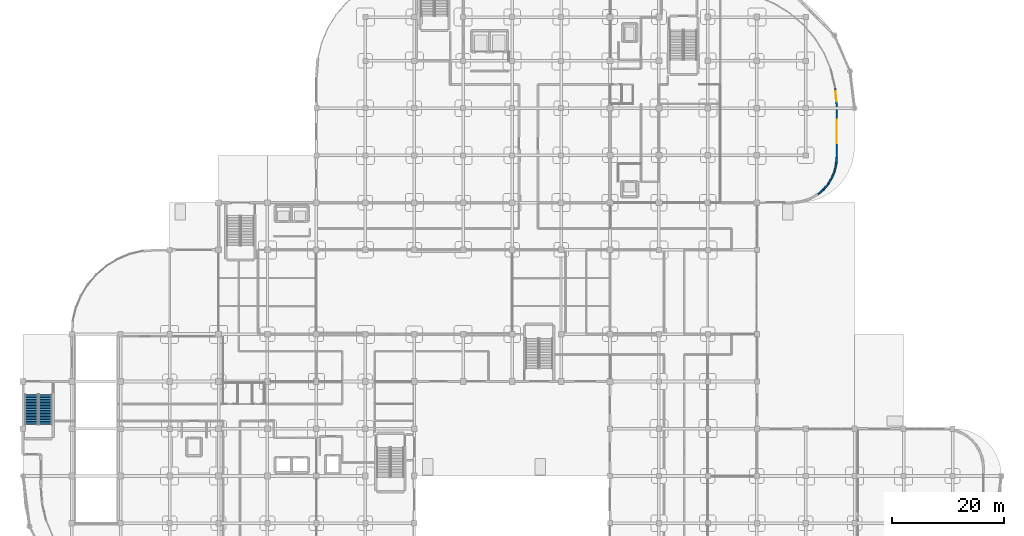
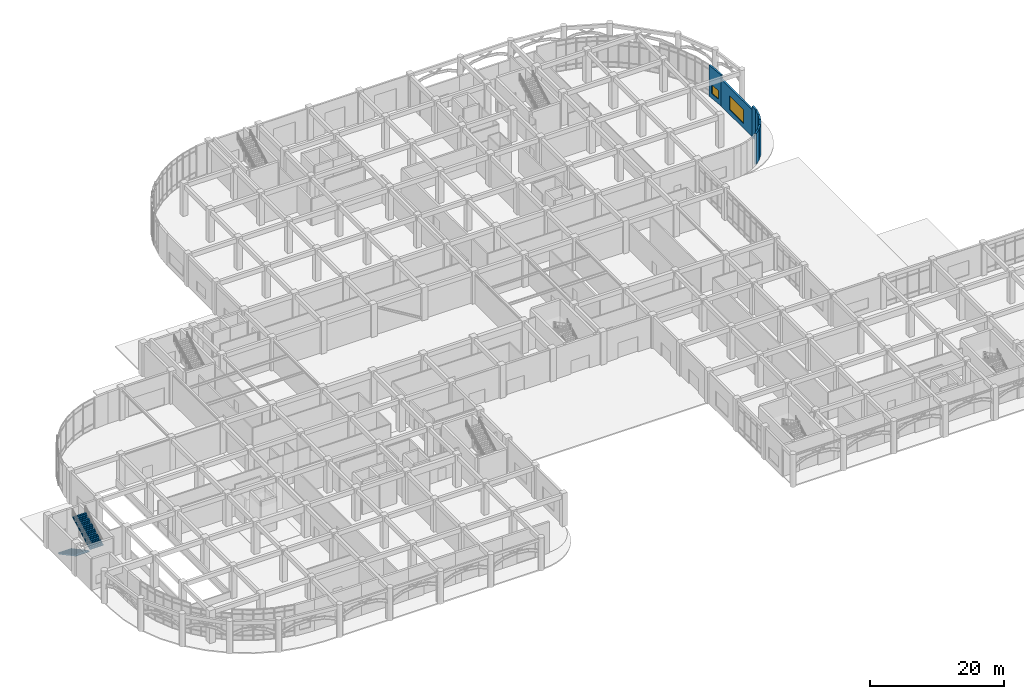
# One storey, part 71 of 82: 8 walls, 2 stair flights, 2 windows, 2 openings, 1 element without a shape of its own.
"""IFC4 building model written with IfcOpenShell, lengths in metres."""

from ifc_helpers import new_model, si_unit, derived_unit, direction, frame, frame_2d, origin, place, context, subcontext, project, spatial, polyline, rectangle, outline, extrude, material, layer, layer_set, type_object, element, fill, aggregate, save


model = new_model("IFC4")

# Units and contexts
model_context = context("Model", 3, precision=1e-05, world=origin(), true_north=direction((0.0, 1.0)))
body_context = subcontext(model_context, "Body", "Model", "MODEL_VIEW")
ifc_project = project(units=[si_unit("LENGTHUNIT", "METRE"), si_unit("AREAUNIT", "SQUARE_METRE"), si_unit("VOLUMEUNIT", "CUBIC_METRE"), si_unit("PLANEANGLEUNIT", "RADIAN"), si_unit("MASSUNIT", "GRAM", prefix="KILO"), derived_unit("THERMALTRANSMITTANCEUNIT", [(si_unit("MASSUNIT", "GRAM", prefix="KILO"), 1), (si_unit("TIMEUNIT", "SECOND"), -3), (si_unit("THERMODYNAMICTEMPERATUREUNIT", "KELVIN"), -1)])], contexts=[model_context])

# Site, building, storey
site_placement = place(None, origin())
site = spatial("IfcSite", under=ifc_project, at=site_placement, CompositionType="ELEMENT")
building_placement = place(site_placement, origin())
building = spatial("IfcBuilding", under=site, at=building_placement, Name="Qinzheling Arcade Emporium", CompositionType="ELEMENT")
storey_placement = place(building_placement, origin())
storey = spatial("IfcBuildingStorey", under=building, at=storey_placement, Name="L01", CompositionType="ELEMENT", Elevation=0.0)

# Wall, opening, window
ifc_material_1 = material(Name="Buff glazed terracotta insulated wall", Category="masonry")
ifc_layer = layer(ifc_material_1, 0.2900390625, Name="Buff glazed terracotta insulated wall", Category="masonry")
ifc_layer_set = layer_set([ifc_layer], Name="Buff glazed terracotta insulated wall")
wall_type = type_object("IfcWallType", Name="Office Bar Terracotta Wall 290", PredefinedType="STANDARD", material=ifc_layer_set)
wall_1_placement = place(storey_placement, frame((144.449951171875, 94.27587890625, 0.0), z_axis=(0.0, 0.0, 1.0), x_axis=(0.078478000157, -0.996915845742, 0.0)))
wall_1 = element("IfcWall", 1, at=wall_1_placement, inside=storey, type_object=wall_type, Name="Exterior Wall WL-L01-EW-0064", PredefinedType="STANDARD", context=body_context, shape_type="SweptSolid", body=[
    extrude(rectangle(XDim=3.185546875, YDim=0.2900390625, at=frame_2d((1.5927734375, 0.0))), origin(), (0.0, 0.0, 1.0), 5.659912109375),
])
opening_1_placement = place(wall_1_placement, frame((0.693115234375, 0.0, 0.85009765625)))
opening_1 = element("IfcOpeningElement", 2, at=opening_1_placement, cuts=wall_1, Name="Opening WN62", PredefinedType="OPENING", context=body_context, shape_type="SweptSolid", body=[
    extrude(rectangle(XDim=1.800048828125, YDim=1.60009765625, at=frame_2d((0.89990234375, 0.800048828125))), frame((0.0, 0.155029296875, 0.0), z_axis=(0.0, -1.0, 0.0), x_axis=(1.0, 0.0, 0.0)), (0.0, 0.0, 1.0), 0.31005859375),
])
ifc_material_2 = material(Name="Thermally broken aluminium frame with solar-control double glazing", Category="aluminium")
window_type_1 = type_object("IfcWindowType", Name="Chicago Tripartite Window 1800x1600", PartitioningType="TRIPLE_PANEL_VERTICAL", PredefinedType="WINDOW", material=ifc_material_2)
window_1_placement = place(opening_1_placement, origin())
window_1 = element("IfcWindow", 3, at=window_1_placement, inside=storey, type_object=window_type_1, Name="WN62 Window WN-L01-0012", OverallHeight=1.60009765625, OverallWidth=1.800048828125, PartitioningType="TRIPLE_PANEL_VERTICAL", PredefinedType="WINDOW", context=body_context, shape_type="SweptSolid", body=[
    extrude(rectangle(XDim=1.800048828125, YDim=1.60009765625, at=frame_2d((0.89990234375, 0.800048828125))), frame((0.0, 0.030029296875, 0.0), z_axis=(0.0, -1.0, 0.0), x_axis=(1.0, 0.0, 0.0)), (0.0, 0.0, 1.0), 0.06005859375),
])
fill(opening_1, window_1)

wall_2_placement = place(storey_placement, frame((144.699951171875, 91.10009765625, 0.0), z_axis=(0.0, 0.0, 1.0), x_axis=(0.0, -1.0, 0.0)))
wall_2 = element("IfcWall", 4, at=wall_2_placement, inside=storey, type_object=wall_type, Name="Exterior Wall WL-L01-EW-0065", PredefinedType="STANDARD", context=body_context, shape_type="SweptSolid", body=[
    extrude(rectangle(XDim=9.300048828125, YDim=0.2900390625, at=frame_2d((4.64990234375, 0.0))), origin(), (0.0, 0.0, 1.0), 4.919921875),
])
opening_2_placement = place(wall_2_placement, frame((2.550048828125, 0.0, 0.85009765625)))
opening_2 = element("IfcOpeningElement", 5, at=opening_2_placement, cuts=wall_2, Name="Opening WN10", PredefinedType="OPENING", context=body_context, shape_type="SweptSolid", body=[
    extrude(rectangle(XDim=4.199951171875, YDim=2.60009765625, at=frame_2d((2.10009765625, 1.300048828125))), frame((0.0, 0.155029296875, 0.0), z_axis=(0.0, -1.0, 0.0), x_axis=(1.0, 0.0, 0.0)), (0.0, 0.0, 1.0), 0.31005859375),
])
window_type_2 = type_object("IfcWindowType", Name="Chicago Tripartite Window 4200x2600", PartitioningType="TRIPLE_PANEL_VERTICAL", PredefinedType="WINDOW", material=ifc_material_2)
window_2_placement = place(opening_2_placement, origin())
window_2 = element("IfcWindow", 6, at=window_2_placement, inside=storey, type_object=window_type_2, Name="WN10 Window WN-L01-0013", OverallHeight=2.60009765625, OverallWidth=4.199951171875, PartitioningType="TRIPLE_PANEL_VERTICAL", PredefinedType="WINDOW", context=body_context, shape_type="SweptSolid", body=[
    extrude(rectangle(XDim=4.199951171875, YDim=2.60009765625, at=frame_2d((2.10009765625, 1.300048828125))), frame((0.0, 0.030029296875, 0.0), z_axis=(0.0, -1.0, 0.0), x_axis=(1.0, 0.0, 0.0)), (0.0, 0.0, 1.0), 0.06005859375),
])
fill(opening_2, window_2)

# Walls
wall_3_placement = place(storey_placement, frame((144.699951171875, 81.800048828125, 0.0), z_axis=(0.0, 0.0, 1.0), x_axis=(-0.078020618655, -0.996951745605, 0.0)))
element("IfcWall", 7, at=wall_3_placement, inside=storey, type_object=wall_type, Name="Exterior Wall WL-L01-EW-0066", PredefinedType="STANDARD", context=body_context, shape_type="SweptSolid", body=[
    extrude(rectangle(XDim=1.2548828125, YDim=0.2900390625, at=frame_2d((0.62744140625, 0.0))), origin(), (0.0, 0.0, 1.0), 5.659912109375),
])
wall_4_placement = place(storey_placement, frame((144.60205078125, 80.549072265625, 0.0), z_axis=(0.0, 0.0, 1.0), x_axis=(-0.234019816048, -0.972231827136, 0.0)))
element("IfcWall", 8, at=wall_4_placement, inside=storey, type_object=wall_type, Name="Exterior Wall WL-L01-EW-0067", PredefinedType="STANDARD", context=body_context, shape_type="SweptSolid", body=[
    extrude(rectangle(XDim=1.256103515625, YDim=0.2900390625, at=frame_2d((0.6279296875, 0.0))), origin(), (0.0, 0.0, 1.0), 5.659912109375),
])
wall_5_placement = place(storey_placement, frame((144.30810546875, 79.327880859375, 0.0), z_axis=(0.0, 0.0, 1.0), x_axis=(-0.382529279716, -0.923943369563, 0.0)))
element("IfcWall", 9, at=wall_5_placement, inside=storey, type_object=wall_type, Name="Exterior Wall WL-L01-EW-0068", PredefinedType="STANDARD", context=body_context, shape_type="SweptSolid", body=[
    extrude(rectangle(XDim=1.25537109375, YDim=0.2900390625, at=frame_2d((0.627685546875, 0.0))), origin(), (0.0, 0.0, 1.0), 5.659912109375),
])
wall_6_placement = place(storey_placement, frame((143.827880859375, 78.16796875, 0.0), z_axis=(0.0, 0.0, 1.0), x_axis=(-0.522511879055, -0.852632005174, 0.0)))
element("IfcWall", 10, at=wall_6_placement, inside=storey, type_object=wall_type, Name="Exterior Wall WL-L01-EW-0069", PredefinedType="STANDARD", context=body_context, shape_type="SweptSolid", body=[
    extrude(rectangle(XDim=1.255126953125, YDim=0.2900390625, at=frame_2d((0.62744140625, 0.0))), origin(), (0.0, 0.0, 1.0), 5.659912109375),
])
for number, where, z_axis, x_axis, name in (
    (11, (143.172119140625, 77.097900390625, 0.0), (0.0, 0.0, 1.0), (-0.649300789232, -0.760531712095, 0.0), "Exterior Wall WL-L01-EW-0070"),
    (12, (142.35693359375, 76.14306640625, 0.0), (0.0, 0.0, 1.0), (-0.760531712095, -0.649300789232, 0.0), "Exterior Wall WL-L01-EW-0071"),
):
    element("IfcWall", number, at=place(storey_placement, frame(where, z_axis=z_axis, x_axis=x_axis)), inside=storey, type_object=wall_type, Name=name, PredefinedType="STANDARD", context=body_context, shape_type="SweptSolid", body=[
        extrude(rectangle(XDim=1.25537109375, YDim=0.2900390625, at=frame_2d((0.627685546875, 0.0))), origin(), (0.0, 0.0, 1.0), 5.659912109375),
    ])

# Stair, stair flights
ifc_material_3 = material(Name="Concrete C40", Category="concrete")
stair_type = type_object("IfcStairType", Name="Cast-in-Situ Dog-Leg Escape Stair H6000", PredefinedType="HALF_TURN_STAIR", material=ifc_material_3)
stair_placement = place(storey_placement, origin())
stair = element("IfcStair", 13, at=stair_placement, inside=storey, type_object=stair_type, Name="L01 ST02", PredefinedType="HALF_TURN_STAIR")
stair_flight_type = type_object("IfcStairFlightType", Name="Cast-in-Situ Straight Stair Flight 150x280 H6000", PredefinedType="STRAIGHT", material=ifc_material_3)
stair_flight_1_placement = place(storey_placement, frame((1.56005859375, 39.679931640625, 0.0), z_axis=(0.0, 0.0, 1.0), x_axis=(0.0, -1.0, 0.0)))
stair_flight_1 = element("IfcStairFlight", 14, at=stair_flight_1_placement, type_object=stair_flight_type, Name="ST02 flight 1", NumberOfRisers=20, NumberOfTreads=19, PredefinedType="STRAIGHT", RiserHeight=0.15, TreadLength=0.28, context=body_context, shape_type="SweptSolid", body=[
    extrude(outline(polyline([(0.0, 0.0), (0.0, 0.14990234375), (0.280029296875, 0.14990234375), (0.280029296875, 0.300048828125), (0.56005859375, 0.300048828125), (0.56005859375, 0.449951171875), (0.840087890625, 0.449951171875), (0.840087890625, 0.60009765625), (1.1201171875, 0.60009765625), (1.1201171875, 0.75), (1.39990234375, 0.75), (1.39990234375, 0.89990234375), (1.679931640625, 0.89990234375), (1.679931640625, 1.050048828125), (1.9599609375, 1.050048828125), (1.9599609375, 1.199951171875), (2.239990234375, 1.199951171875), (2.239990234375, 1.35009765625), (2.52001953125, 1.35009765625), (2.52001953125, 1.5), (2.800048828125, 1.5), (2.800048828125, 1.64990234375), (3.080078125, 1.64990234375), (3.080078125, 1.800048828125), (3.360107421875, 1.800048828125), (3.360107421875, 1.949951171875), (3.639892578125, 1.949951171875), (3.639892578125, 2.10009765625), (3.919921875, 2.10009765625), (3.919921875, 2.25), (4.199951171875, 2.25), (4.199951171875, 2.39990234375), (4.47998046875, 2.39990234375), (4.47998046875, 2.550048828125), (4.760009765625, 2.550048828125), (4.760009765625, 2.699951171875), (5.0400390625, 2.699951171875), (5.0400390625, 2.85009765625), (5.320068359375, 2.85009765625), (5.320068359375, 3.0), (5.320068359375, 2.668701171875), (0.338623046875, 0.0), (0.0, 0.0)])), frame((0.0, 1.16015625, 0.0), z_axis=(0.0, -1.0, 0.0), x_axis=(1.0, 0.0, 0.0)), (0.0, 0.0, 1.0), 2.320068359375),
])
stair_flight_2_placement = place(storey_placement, frame((4.030029296875, 34.360107421875, 3.0), z_axis=(0.0, 0.0, 1.0), x_axis=(0.0, 1.0, 0.0)))
stair_flight_2 = element("IfcStairFlight", 15, at=stair_flight_2_placement, type_object=stair_flight_type, Name="ST02 flight 2", NumberOfRisers=20, NumberOfTreads=19, PredefinedType="STRAIGHT", RiserHeight=0.15, TreadLength=0.28, context=body_context, shape_type="SweptSolid", body=[
    extrude(outline(polyline([(0.0, 0.0), (0.0, 0.14990234375), (0.280029296875, 0.14990234375), (0.280029296875, 0.300048828125), (0.56005859375, 0.300048828125), (0.56005859375, 0.449951171875), (0.840087890625, 0.449951171875), (0.840087890625, 0.60009765625), (1.1201171875, 0.60009765625), (1.1201171875, 0.75), (1.39990234375, 0.75), (1.39990234375, 0.89990234375), (1.679931640625, 0.89990234375), (1.679931640625, 1.050048828125), (1.9599609375, 1.050048828125), (1.9599609375, 1.199951171875), (2.239990234375, 1.199951171875), (2.239990234375, 1.35009765625), (2.52001953125, 1.35009765625), (2.52001953125, 1.5), (2.800048828125, 1.5), (2.800048828125, 1.64990234375), (3.080078125, 1.64990234375), (3.080078125, 1.800048828125), (3.360107421875, 1.800048828125), (3.360107421875, 1.949951171875), (3.639892578125, 1.949951171875), (3.639892578125, 2.10009765625), (3.919921875, 2.10009765625), (3.919921875, 2.25), (4.199951171875, 2.25), (4.199951171875, 2.39990234375), (4.47998046875, 2.39990234375), (4.47998046875, 2.550048828125), (4.760009765625, 2.550048828125), (4.760009765625, 2.699951171875), (5.0400390625, 2.699951171875), (5.0400390625, 2.85009765625), (5.320068359375, 2.85009765625), (5.320068359375, 3.0), (5.320068359375, 2.668701171875), (0.338623046875, 0.0), (0.0, 0.0)])), frame((0.0, 1.16015625, 0.0), z_axis=(0.0, -1.0, 0.0), x_axis=(1.0, 0.0, 0.0)), (0.0, 0.0, 1.0), 2.320068359375),
])
aggregate(stair, [stair_flight_1, stair_flight_2])

save(model, "model.ifc")
